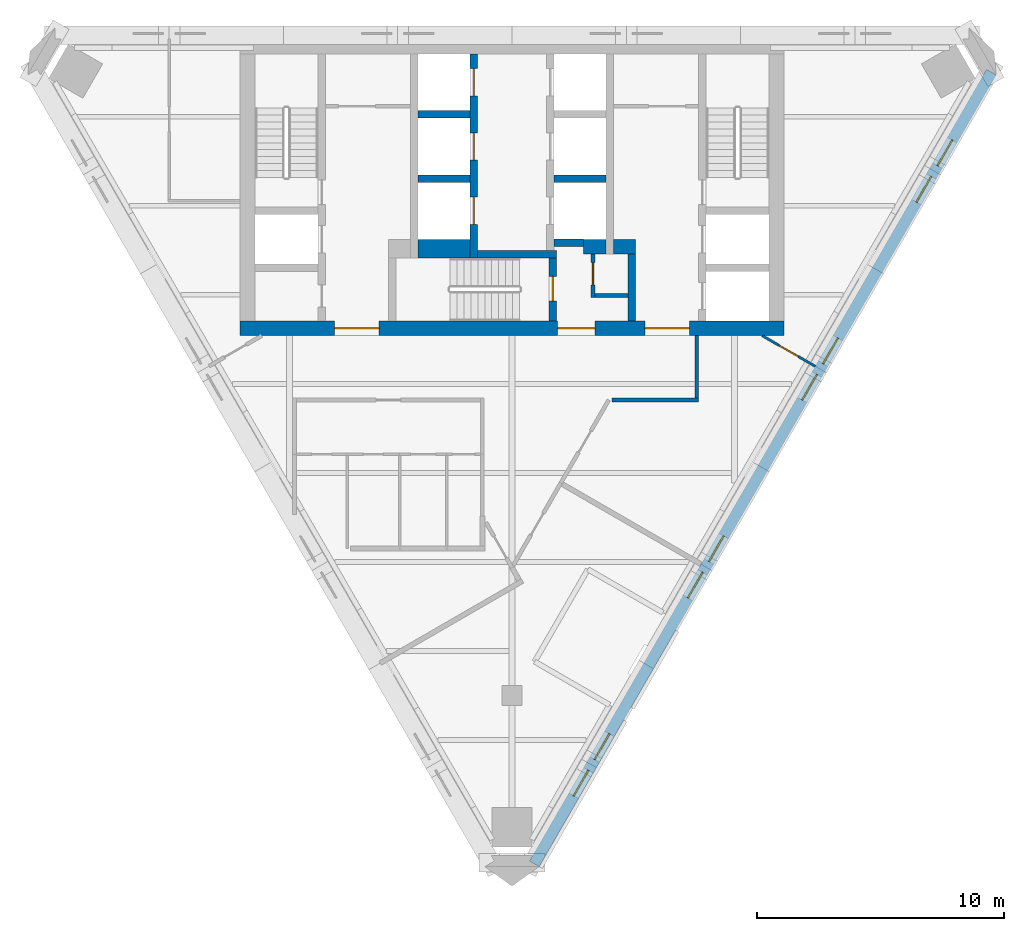
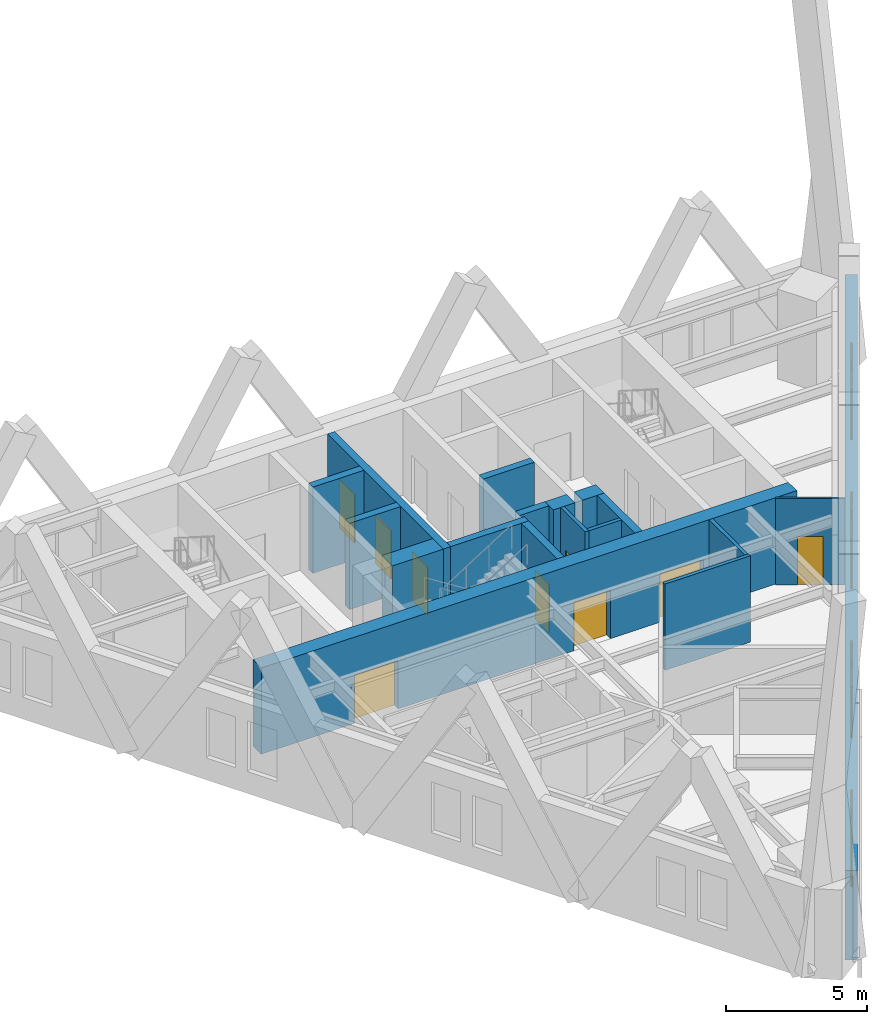
# One storey, part 4 of 7: 18 walls, 9 doors, 8 windows, 17 openings.
"""IFC4 building model written with IfcOpenShell, lengths in metres."""

import ifcopenshell
import ifcopenshell.guid

model = None  # the IFC model being written
_history = None  # IfcOwnerHistory: only IFC2X3 demands one
_inside = {}  # id of a spatial element -> (the spatial element, [elements in it])
_under = {}  # id of a project, library or spatial element -> (it, [spatial elements below it])
_declared = {}  # id of a project -> (the project, [libraries it declares])
_typed = {}  # id of a type object -> (the type object, [elements of that type])
_made_of = {}  # id of a material, layer set ... -> (it, [elements and type objects made of it])


def new_model(schema):
    """Start an empty IFC model of exactly this schema.

    Asked for "IFC4X3", IfcOpenShell would pick the latest addendum, in which some entities
    have other attributes; the version numbers below select the first issue.
    IFC2X3 requires an IfcOwnerHistory on every rooted entity: one is made here for all.
    """
    global model, _history
    if schema == "IFC4X3":
        model = ifcopenshell.file(schema_version=(4, 3, 0, 0))
    else:
        model = ifcopenshell.file(schema=schema)
    _inside.clear()
    _under.clear()
    _declared.clear()
    _typed.clear()
    _made_of.clear()
    _history = None
    if model.schema == "IFC2X3":
        org = make("IfcOrganization", Name="unknown")
        user = make(
            "IfcPersonAndOrganization",
            ThePerson=make("IfcPerson", FamilyName="unknown"),
            TheOrganization=org,
        )
        app = make(
            "IfcApplication",
            ApplicationDeveloper=org,
            Version="unknown",
            ApplicationFullName="unknown",
            ApplicationIdentifier="unknown",
        )
        _history = make(
            "IfcOwnerHistory",
            OwningUser=user,
            OwningApplication=app,
            ChangeAction="ADDED",
            CreationDate=0,
        )
    return model


def make(cls, **values):
    """One entity of the class cls with the attributes given. An attribute that is None is left unset."""
    return model.create_entity(
        cls, **{name: value for name, value in values.items() if value is not None}
    )


def rooted(cls, **values):
    """An entity with a GlobalId (a new one), such as an element, a storey or a relation."""
    return make(cls, GlobalId=ifcopenshell.guid.new(), OwnerHistory=_history, **values)


def si_unit(unit_type, name, prefix=None):
    """IfcSIUnit, for example si_unit("LENGTHUNIT", "METRE", prefix="MILLI")."""
    return make("IfcSIUnit", UnitType=unit_type, Prefix=prefix, Name=name)


def assignment(units):
    """IfcUnitAssignment: the units of a project."""
    return None if units is None else make("IfcUnitAssignment", Units=units)


def point(xyz):
    """IfcCartesianPoint."""
    return None if xyz is None else make("IfcCartesianPoint", Coordinates=xyz)


def direction(xyz):
    """IfcDirection."""
    return None if xyz is None else make("IfcDirection", DirectionRatios=xyz)


def frame(location, z_axis=None, x_axis=None):
    """IfcAxis2Placement3D, a coordinate frame: its origin and axes. An axis left out is left unset."""
    return make(
        "IfcAxis2Placement3D",
        Location=point(location),
        Axis=direction(z_axis),
        RefDirection=direction(x_axis),
    )


def frame_2d(location, x_axis=None):
    """IfcAxis2Placement2D, a coordinate frame in the plane: its origin and x axis."""
    return make(
        "IfcAxis2Placement2D", Location=point(location), RefDirection=direction(x_axis)
    )


def origin():
    """The frame at (0, 0, 0) with its axes left unset."""
    return frame((0.0, 0.0, 0.0))


def place(relative_to, where):
    """IfcLocalPlacement: puts the frame where relative to a parent placement (None: the world)."""
    return make(
        "IfcLocalPlacement", PlacementRelTo=relative_to, RelativePlacement=where
    )


def context(
    kind, dimensions, precision=None, world=None, true_north=None, identifier=None
):
    """IfcGeometricRepresentationContext, for example the 3D "Model" context."""
    return make(
        "IfcGeometricRepresentationContext",
        ContextIdentifier=identifier,
        ContextType=kind,
        CoordinateSpaceDimension=dimensions,
        Precision=precision,
        WorldCoordinateSystem=world,
        TrueNorth=true_north,
    )


def subcontext(parent, identifier, kind, view, scale=None):
    """IfcGeometricRepresentationSubContext, for example "Body" below "Model"."""
    return make(
        "IfcGeometricRepresentationSubContext",
        ContextIdentifier=identifier,
        ContextType=kind,
        ParentContext=parent,
        TargetScale=scale,
        TargetView=view,
    )


def project(units=None, contexts=None):
    """IfcProject with its units and contexts."""
    return rooted(
        "IfcProject",
        Name="project",
        RepresentationContexts=contexts,
        UnitsInContext=assignment(units),
    )


def spatial(cls, under=None, at=None, **own):
    """A site, building, storey or space (cls), placed at a placement, below another one or the project."""
    s = rooted(cls, ObjectPlacement=at, **own)
    if under is not None:
        _under.setdefault(under.id(), (under, []))[1].append(s)
    return s


def polyline(points):
    """IfcPolyline through the points."""
    return make("IfcPolyline", Points=[point(p) for p in points])


def profile(cls, at=None, kind="AREA", **sizes):
    """A parametric profile (cls). Its sizes go by their IFC names, for example OverallWidth=200.0."""
    return make(cls, ProfileType=kind, Position=at, **sizes)


def rectangle(**sizes):
    """IfcRectangleProfileDef."""
    return profile("IfcRectangleProfileDef", **sizes)


def outline(outer, holes=None, kind="AREA"):
    """IfcArbitraryClosedProfileDef: a profile drawn as a closed curve; with holes, ...WithVoids."""
    if holes is None:
        return make("IfcArbitraryClosedProfileDef", ProfileType=kind, OuterCurve=outer)
    return make(
        "IfcArbitraryProfileDefWithVoids",
        ProfileType=kind,
        OuterCurve=outer,
        InnerCurves=holes,
    )


def extrude(swept, where, along, depth):
    """IfcExtrudedAreaSolid: the profile swept, set in the frame where, extruded along a direction by depth."""
    return make(
        "IfcExtrudedAreaSolid",
        SweptArea=swept,
        Position=where,
        ExtrudedDirection=direction(along),
        Depth=depth,
    )


def shape(context_of_items, identifier, shape_type, items):
    """IfcShapeRepresentation: the items that make up one representation, for example the "Body"."""
    return make(
        "IfcShapeRepresentation",
        ContextOfItems=context_of_items,
        RepresentationIdentifier=identifier,
        RepresentationType=shape_type,
        Items=items,
    )


def material(Name=None, Category=None):
    """IfcMaterial."""
    return make("IfcMaterial", Name=Name, Category=Category)


def layer(
    of_material, thickness, ventilated=None, Name=None, Category=None, Priority=None
):
    """IfcMaterialLayer: one layer of a wall or slab, of a material (None: an air gap)."""
    return make(
        "IfcMaterialLayer",
        Material=of_material,
        LayerThickness=thickness,
        IsVentilated=ventilated,
        Name=Name,
        Category=Category,
        Priority=Priority,
    )


def layer_set(layers, Name=None):
    """IfcMaterialLayerSet."""
    return make("IfcMaterialLayerSet", MaterialLayers=layers, LayerSetName=Name)


def made_of(thing, what):
    """Note that an element or type object is made of a material, layer set ...; save() writes the relation."""
    if what is not None:
        _made_of.setdefault(what.id(), (what, []))[1].append(thing)
    return thing


def type_object(cls, material=None, **own):
    """A type object (cls), such as IfcWallType, which elements share."""
    return made_of(rooted(cls, **own), material)


def element(
    cls,
    number,
    at=None,
    inside=None,
    cuts=None,
    type_object=None,
    material=None,
    context=None,
    identifier="Body",
    shape_type=None,
    held_by="IfcProductDefinitionShape",
    body=None,
    shapes=None,
    **own,
):
    """One element of the class cls, such as IfcWall. Its Tag is "e" and its number.

    at: its placement. inside: the storey or other place that contains it. cuts: it is an
    opening in that element (IfcRelVoidsElement). A single representation is given by context,
    identifier, shape_type and body (its items); several are given by shapes. held_by: the class
    of the entity that holds the representations. save() writes the other relations.
    """
    e = rooted(cls, Tag="e%d" % number, ObjectPlacement=at, **own)
    if body is not None:
        shapes = [shape(context, identifier, shape_type, body)]
    if shapes is not None:
        e.Representation = make(held_by, Representations=shapes)
    if inside is not None:
        _inside.setdefault(inside.id(), (inside, []))[1].append(e)
    if cuts is not None:
        rooted(
            "IfcRelVoidsElement", RelatingBuildingElement=cuts, RelatedOpeningElement=e
        )
    if type_object is not None:
        _typed.setdefault(type_object.id(), (type_object, []))[1].append(e)
    return made_of(e, material)


def fill(opening, filler):
    """IfcRelFillsElement: the door or window that sits in an opening."""
    return rooted(
        "IfcRelFillsElement",
        RelatingOpeningElement=opening,
        RelatedBuildingElement=filler,
    )


def aggregate(whole, parts):
    """IfcRelAggregates: a whole, such as a stair, and the parts it consists of."""
    return rooted("IfcRelAggregates", RelatingObject=whole, RelatedObjects=parts)


def save(model, path):
    """Write the relations noted so far, then the file.

    IfcRelAggregates (storeys below a building ...), IfcRelContainedInSpatialStructure (elements
    in a storey), IfcRelDefinesByType, IfcRelAssociatesMaterial and IfcRelDeclares: one each for
    every whole, place, type object, material and project.
    """
    for whole, parts in _under.values():
        aggregate(whole, parts)
    for where, things in _inside.values():
        rooted(
            "IfcRelContainedInSpatialStructure",
            RelatedElements=things,
            RelatingStructure=where,
        )
    for kind, things in _typed.values():
        rooted("IfcRelDefinesByType", RelatedObjects=things, RelatingType=kind)
    for what, things in _made_of.values():
        rooted("IfcRelAssociatesMaterial", RelatedObjects=things, RelatingMaterial=what)
    for by, libraries in _declared.values():
        rooted("IfcRelDeclares", RelatingContext=by, RelatedDefinitions=libraries)
    model.write(path)


model = new_model("IFC4")

# Units and contexts
model_context = context("Model", 3, precision=1e-05, world=origin(), true_north=direction((0.0, 1.0)))
body_context = subcontext(model_context, "Body", "Model", "MODEL_VIEW")
ifc_project = project(units=[si_unit("LENGTHUNIT", "METRE"), si_unit("AREAUNIT", "SQUARE_METRE"), si_unit("VOLUMEUNIT", "CUBIC_METRE"), si_unit("PLANEANGLEUNIT", "RADIAN"), si_unit("MASSUNIT", "GRAM", prefix="KILO")], contexts=[model_context])

# Site, building, storey
site_placement = place(None, origin())
site = spatial("IfcSite", under=ifc_project, at=site_placement, CompositionType="ELEMENT")
building_placement = place(site_placement, origin())
building = spatial("IfcBuilding", under=site, at=building_placement, Name="Aloe Facet Convention Tower", CompositionType="ELEMENT")
storey_placement = place(building_placement, frame((0.0, 0.0, 269.89990234375)))
storey = spatial("IfcBuildingStorey", under=building, at=storey_placement, Name="L66", CompositionType="ELEMENT", Elevation=269.89990234375)

# Wall, opening, door
ifc_material_1 = material(Name="Concrete blockwork partition", Category="masonry")
ifc_layer_1 = layer(ifc_material_1, 0.14990234375)
ifc_layer_set_1 = layer_set([ifc_layer_1], Name="CR-W-PART150")
wall_type_1 = type_object("IfcWallType", Name="CR-W-PART150", PredefinedType="PARTITIONING", material=ifc_layer_set_1)
wall_1_placement = place(storey_placement, frame((83.27490234375, 125.85009765625, 0.0), z_axis=(0.0, 0.0, 1.0), x_axis=(0.0, -1.0, 0.0)))
wall_1 = element("IfcWall", 1, at=wall_1_placement, inside=storey, type_object=wall_type_1, Name="Core partition L66-022", PredefinedType="PARTITIONING", context=body_context, shape_type="SweptSolid", body=[
    extrude(rectangle(XDim=1.75, YDim=0.14990234375, at=frame_2d((0.875, 0.0))), origin(), (0.0, 0.0, 1.0), 3.75),
])
opening_1_placement = place(wall_1_placement, frame((0.35009765625, 0.0, 0.0)))
opening_1 = element("IfcOpeningElement", 2, at=opening_1_placement, cuts=wall_1, Name="Opening L66-CD12", PredefinedType="OPENING", context=body_context, shape_type="SweptSolid", body=[
    extrude(rectangle(XDim=0.89990234375, YDim=2.10009765625, at=frame_2d((0.449951171875, 1.050048828125))), frame((0.0, 0.0849609375, 0.0), z_axis=(0.0, -1.0, 0.0), x_axis=(1.0, 0.0, 0.0)), (0.0, 0.0, 1.0), 0.169921875),
])
ifc_material_2 = material(Name="Steel fire-resisting door set FD60", Category="steel")
door_type_1 = type_object("IfcDoorType", Name="CR-D-REFUGE-900-FD60-SRIGHT", OperationType="SINGLE_SWING_RIGHT", PredefinedType="DOOR", material=ifc_material_2)
door_1_placement = place(opening_1_placement, origin())
door_1 = element("IfcDoor", 3, at=door_1_placement, inside=storey, type_object=door_type_1, Name="Core door L66-CD12", OperationType="SINGLE_SWING_RIGHT", OverallHeight=2.10009765625, OverallWidth=0.89990234375, PredefinedType="DOOR", context=body_context, shape_type="SweptSolid", body=[
    extrude(rectangle(XDim=0.89990234375, YDim=2.10009765625, at=frame_2d((0.449951171875, 1.050048828125))), frame((0.0, 0.02490234375, 0.0), z_axis=(0.0, -1.0, 0.0), x_axis=(1.0, 0.0, 0.0)), (0.0, 0.0, 1.0), 0.050048828125),
])
fill(opening_1, door_1)

# Walls
wall_2_placement = place(storey_placement, frame((83.35009765625, 124.175048828125, 0.0), z_axis=(0.0, 0.0, 1.0), x_axis=(1.0, 0.0, 0.0)))
element("IfcWall", 4, at=wall_2_placement, inside=storey, type_object=wall_type_1, Name="Core partition L66-023", PredefinedType="PARTITIONING", context=body_context, shape_type="SweptSolid", body=[
    extrude(rectangle(XDim=1.349853515625, YDim=0.14990234375, at=frame_2d((0.6748046875, 0.0))), origin(), (0.0, 0.0, 1.0), 3.75),
])
ifc_material_3 = material(Name="Concrete C50/60", Category="concrete")
ifc_layer_2 = layer(ifc_material_3, 0.300048828125)
ifc_layer_set_2 = layer_set([ifc_layer_2], Name="CR-W-RC300-C5060")
wall_type_2 = type_object("IfcWallType", Name="CR-W-RC300-C5060", PredefinedType="SOLIDWALL", material=ifc_layer_set_2)
for number, where, z_axis, x_axis, name in (
    (5, (76.199951171875, 131.5, 0.0), (0.0, 0.0, 1.0), (1.0, 0.0, 0.0), "Core wall L66-011"),
    (6, (76.199951171875, 128.89990234375, 0.0), (0.0, 0.0, 1.0), (1.0, 0.0, 0.0), "Core wall L66-012"),
):
    element("IfcWall", number, at=place(storey_placement, frame(where, z_axis=z_axis, x_axis=x_axis)), inside=storey, type_object=wall_type_2, Name=name, PredefinedType="SOLIDWALL", context=body_context, shape_type="SweptSolid", body=[
        extrude(rectangle(XDim=2.10009765625, YDim=0.300048828125, at=frame_2d((1.050048828125, 0.0))), origin(), (0.0, 0.0, 1.0), 3.75),
    ])

# Wall, openings, doors
wall_3_placement = place(storey_placement, frame((78.449951171875, 133.949951171875, 0.0), z_axis=(0.0, 0.0, 1.0), x_axis=(0.0, -1.0, 0.0)))
wall_3 = element("IfcWall", 7, at=wall_3_placement, inside=storey, type_object=wall_type_2, Name="Core wall L66-014", PredefinedType="SOLIDWALL", context=body_context, shape_type="SweptSolid", body=[
    extrude(rectangle(XDim=8.25, YDim=0.300048828125, at=frame_2d((4.125, 0.0))), origin(), (0.0, 0.0, 1.0), 3.75),
])
opening_2_placement = place(wall_3_placement, frame((0.60009765625, 0.0, 0.0)))
opening_2 = element("IfcOpeningElement", 8, at=opening_2_placement, cuts=wall_3, Name="Opening LD-B1-L66", PredefinedType="OPENING", context=body_context, shape_type="SweptSolid", body=[
    extrude(rectangle(XDim=1.10009765625, YDim=2.10009765625, at=frame_2d((0.550048828125, 1.050048828125))), frame((0.0, 0.16015625, 0.0), z_axis=(0.0, -1.0, 0.0), x_axis=(1.0, 0.0, 0.0)), (0.0, 0.0, 1.0), 0.320068359375),
])
opening_3_placement = place(wall_3_placement, frame((3.199951171875, 0.0, 0.0)))
opening_3 = element("IfcOpeningElement", 9, at=opening_3_placement, cuts=wall_3, Name="Opening LD-B2-L66", PredefinedType="OPENING", context=body_context, shape_type="SweptSolid", body=[
    extrude(rectangle(XDim=1.10009765625, YDim=2.10009765625, at=frame_2d((0.550048828125, 1.050048828125))), frame((0.0, 0.16015625, 0.0), z_axis=(0.0, -1.0, 0.0), x_axis=(1.0, 0.0, 0.0)), (0.0, 0.0, 1.0), 0.320068359375),
])
opening_4_placement = place(wall_3_placement, frame((5.800048828125, 0.0, 0.0)))
opening_4 = element("IfcOpeningElement", 10, at=opening_4_placement, cuts=wall_3, Name="Opening LD-B3-L66", PredefinedType="OPENING", context=body_context, shape_type="SweptSolid", body=[
    extrude(rectangle(XDim=1.10009765625, YDim=2.10009765625, at=frame_2d((0.550048828125, 1.050048828125))), frame((0.0, 0.16015625, 0.0), z_axis=(0.0, -1.0, 0.0), x_axis=(1.0, 0.0, 0.0)), (0.0, 0.0, 1.0), 0.320068359375),
])
ifc_material_4 = material(Name="Stainless steel sliding landing door", Category="steel")
door_type_2 = type_object("IfcDoorType", Name="CR-LD-1100-FD60-RIGHT", OperationType="SLIDING_TO_RIGHT", PredefinedType="DOOR", material=ifc_material_4)
door_2_placement = place(opening_2_placement, origin())
door_2 = element("IfcDoor", 11, at=door_2_placement, inside=storey, type_object=door_type_2, Name="Landing door B1 L66", OperationType="SLIDING_TO_RIGHT", OverallHeight=2.10009765625, OverallWidth=1.10009765625, PredefinedType="DOOR", context=body_context, shape_type="SweptSolid", body=[
    extrude(rectangle(XDim=1.10009765625, YDim=2.10009765625, at=frame_2d((0.550048828125, 1.050048828125))), frame((0.0, 0.02490234375, 0.0), z_axis=(0.0, -1.0, 0.0), x_axis=(1.0, 0.0, 0.0)), (0.0, 0.0, 1.0), 0.050048828125),
])
fill(opening_2, door_2)
door_3_placement = place(opening_3_placement, origin())
door_3 = element("IfcDoor", 12, at=door_3_placement, inside=storey, type_object=door_type_2, Name="Landing door B2 L66", OperationType="SLIDING_TO_RIGHT", OverallHeight=2.10009765625, OverallWidth=1.10009765625, PredefinedType="DOOR", context=body_context, shape_type="SweptSolid", body=[
    extrude(rectangle(XDim=1.10009765625, YDim=2.10009765625, at=frame_2d((0.550048828125, 1.050048828125))), frame((0.0, 0.02490234375, 0.0), z_axis=(0.0, -1.0, 0.0), x_axis=(1.0, 0.0, 0.0)), (0.0, 0.0, 1.0), 0.050048828125),
])
fill(opening_3, door_3)
door_4_placement = place(opening_4_placement, origin())
door_4 = element("IfcDoor", 13, at=door_4_placement, inside=storey, type_object=door_type_2, Name="Landing door B3 L66", OperationType="SLIDING_TO_RIGHT", OverallHeight=2.10009765625, OverallWidth=1.10009765625, PredefinedType="DOOR", context=body_context, shape_type="SweptSolid", body=[
    extrude(rectangle(XDim=1.10009765625, YDim=2.10009765625, at=frame_2d((0.550048828125, 1.050048828125))), frame((0.0, 0.02490234375, 0.0), z_axis=(0.0, -1.0, 0.0), x_axis=(1.0, 0.0, 0.0)), (0.0, 0.0, 1.0), 0.050048828125),
])
fill(opening_4, door_4)

# Wall
wall_4_placement = place(storey_placement, frame((78.60009765625, 125.85009765625, 0.0), z_axis=(0.0, 0.0, 1.0), x_axis=(1.0, 0.0, 0.0)))
element("IfcWall", 14, at=wall_4_placement, inside=storey, type_object=wall_type_2, Name="Core wall L66-015", PredefinedType="SOLIDWALL", context=body_context, shape_type="SweptSolid", body=[
    extrude(rectangle(XDim=3.199951171875, YDim=0.300048828125, at=frame_2d((1.60009765625, 0.0))), origin(), (0.0, 0.0, 1.0), 3.75),
])

# Wall, opening, door
wall_5_placement = place(storey_placement, frame((81.64990234375, 125.699951171875, 0.0), z_axis=(0.0, 0.0, 1.0), x_axis=(0.0, -1.0, 0.0)))
wall_5 = element("IfcWall", 15, at=wall_5_placement, inside=storey, type_object=wall_type_2, Name="Core wall L66-017", PredefinedType="SOLIDWALL", context=body_context, shape_type="SweptSolid", body=[
    extrude(rectangle(XDim=2.550048828125, YDim=0.300048828125, at=frame_2d((1.27490234375, 0.0))), origin(), (0.0, 0.0, 1.0), 3.75),
])
opening_5_placement = place(wall_5_placement, frame((0.75, 0.0, 0.0)))
opening_5 = element("IfcOpeningElement", 16, at=opening_5_placement, cuts=wall_5, Name="Opening L66-CD18", PredefinedType="OPENING", context=body_context, shape_type="SweptSolid", body=[
    extrude(rectangle(XDim=1.0, YDim=2.10009765625, at=frame_2d((0.5, 1.050048828125))), frame((0.0, 0.16015625, 0.0), z_axis=(0.0, -1.0, 0.0), x_axis=(1.0, 0.0, 0.0)), (0.0, 0.0, 1.0), 0.320068359375),
])
ifc_material_5 = material(Name="Steel fire-resisting door set FD120", Category="steel")
door_type_3 = type_object("IfcDoorType", Name="CR-D-STAIR-1000-FD120-SLEFT", OperationType="SINGLE_SWING_LEFT", PredefinedType="DOOR", material=ifc_material_5)
door_5_placement = place(opening_5_placement, origin())
door_5 = element("IfcDoor", 17, at=door_5_placement, inside=storey, type_object=door_type_3, Name="Core door L66-CD18", OperationType="SINGLE_SWING_LEFT", OverallHeight=2.10009765625, OverallWidth=1.0, PredefinedType="DOOR", context=body_context, shape_type="SweptSolid", body=[
    extrude(rectangle(XDim=1.0, YDim=2.10009765625, at=frame_2d((0.5, 1.050048828125))), frame((0.0, 0.02490234375, 0.0), z_axis=(0.0, -1.0, 0.0), x_axis=(1.0, 0.0, 0.0)), (0.0, 0.0, 1.0), 0.050048828125),
])
fill(opening_5, door_5)

# Walls
wall_6_placement = place(storey_placement, frame((81.699951171875, 128.89990234375, 0.0), z_axis=(0.0, 0.0, 1.0), x_axis=(1.0, 0.0, 0.0)))
element("IfcWall", 18, at=wall_6_placement, inside=storey, type_object=wall_type_2, Name="Core wall L66-019", PredefinedType="SOLIDWALL", context=body_context, shape_type="SweptSolid", body=[
    extrude(rectangle(XDim=2.10009765625, YDim=0.300048828125, at=frame_2d((1.050048828125, 0.0))), origin(), (0.0, 0.0, 1.0), 3.75),
])
wall_7_placement = place(storey_placement, frame((81.699951171875, 126.300048828125, 0.0), z_axis=(0.0, 0.0, 1.0), x_axis=(1.0, 0.0, 0.0)))
element("IfcWall", 19, at=wall_7_placement, inside=storey, type_object=wall_type_2, Name="Core wall L66-020", PredefinedType="SOLIDWALL", context=body_context, shape_type="SweptSolid", body=[
    extrude(rectangle(XDim=1.199951171875, YDim=0.300048828125, at=frame_2d((0.60009765625, 0.0))), origin(), (0.0, 0.0, 1.0), 3.75),
])
wall_8_placement = place(storey_placement, frame((84.85009765625, 125.85009765625, 0.0), z_axis=(0.0, 0.0, 1.0), x_axis=(0.0, -1.0, 0.0)))
element("IfcWall", 20, at=wall_8_placement, inside=storey, type_object=wall_type_2, Name="Core wall L66-027", PredefinedType="SOLIDWALL", context=body_context, shape_type="SweptSolid", body=[
    extrude(rectangle(XDim=2.7001953125, YDim=0.300048828125, at=frame_2d((1.35009765625, 0.0))), origin(), (0.0, 0.0, 1.0), 3.75),
])

# Wall, openings, doors
ifc_material_6 = material(Name="Concrete C50/60", Category="concrete")
ifc_layer_3 = layer(ifc_material_6, 0.60009765625)
ifc_layer_set_3 = layer_set([ifc_layer_3], Name="CR-W-RC600-C5060")
wall_type_3 = type_object("IfcWallType", Name="CR-W-RC600-C5060", PredefinedType="SOLIDWALL", material=ifc_layer_set_3)
wall_9_placement = place(storey_placement, frame((69.0, 122.85009765625, 0.0), z_axis=(0.0, 0.0, 1.0), x_axis=(1.0, 0.0, 0.0)))
wall_9 = element("IfcWall", 21, at=wall_9_placement, inside=storey, type_object=wall_type_3, Name="Core wall L66-003", PredefinedType="SOLIDWALL", context=body_context, shape_type="SweptSolid", body=[
    extrude(rectangle(XDim=22.0, YDim=0.60009765625, at=frame_2d((11.0, 0.0))), origin(), (0.0, 0.0, 1.0), 3.75),
])
opening_6_placement = place(wall_9_placement, frame((16.375, 0.0, 0.0)))
opening_6 = element("IfcOpeningElement", 22, at=opening_6_placement, cuts=wall_9, Name="Opening L66-CD09", PredefinedType="OPENING", context=body_context, shape_type="SweptSolid", body=[
    extrude(rectangle(XDim=1.800048828125, YDim=2.10009765625, at=frame_2d((0.89990234375, 1.050048828125))), frame((0.0, 0.31005859375, 0.0), z_axis=(0.0, -1.0, 0.0), x_axis=(1.0, 0.0, 0.0)), (0.0, 0.0, 1.0), 0.6201171875),
])
opening_7_placement = place(wall_9_placement, frame((3.824951171875, 0.0, 0.0)))
opening_7 = element("IfcOpeningElement", 23, at=opening_7_placement, cuts=wall_9, Name="Opening L66-CD10", PredefinedType="OPENING", context=body_context, shape_type="SweptSolid", body=[
    extrude(rectangle(XDim=1.800048828125, YDim=2.10009765625, at=frame_2d((0.89990234375, 1.050048828125))), frame((0.0, 0.31005859375, 0.0), z_axis=(0.0, -1.0, 0.0), x_axis=(1.0, 0.0, 0.0)), (0.0, 0.0, 1.0), 0.6201171875),
])
opening_8_placement = place(wall_9_placement, frame((12.85009765625, 0.0, 0.0)))
opening_8 = element("IfcOpeningElement", 24, at=opening_8_placement, cuts=wall_9, Name="Opening L66-CD11", PredefinedType="OPENING", context=body_context, shape_type="SweptSolid", body=[
    extrude(rectangle(XDim=1.5, YDim=2.10009765625, at=frame_2d((0.75, 1.050048828125))), frame((0.0, 0.31005859375, 0.0), z_axis=(0.0, -1.0, 0.0), x_axis=(1.0, 0.0, 0.0)), (0.0, 0.0, 1.0), 0.6201171875),
])
ifc_material_7 = material(Name="Steel fire-resisting door set FD60", Category="steel")
door_type_4 = type_object("IfcDoorType", Name="CR-D-EXIT-1500-FD60-DD", OperationType="DOUBLE_DOOR_DOUBLE_SWING", PredefinedType="DOOR", material=ifc_material_7)
door_6_placement = place(opening_8_placement, origin())
door_6 = element("IfcDoor", 25, at=door_6_placement, inside=storey, type_object=door_type_4, Name="Core door L66-CD11", OperationType="DOUBLE_DOOR_DOUBLE_SWING", OverallHeight=2.10009765625, OverallWidth=1.5, PredefinedType="DOOR", context=body_context, shape_type="SweptSolid", body=[
    extrude(rectangle(XDim=1.5, YDim=2.10009765625, at=frame_2d((0.75, 1.050048828125))), frame((0.0, 0.02490234375, 0.0), z_axis=(0.0, -1.0, 0.0), x_axis=(1.0, 0.0, 0.0)), (0.0, 0.0, 1.0), 0.050048828125),
])
fill(opening_8, door_6)
ifc_material_8 = material(Name="Steel fire-resisting door set FD120", Category="steel")
door_type_5 = type_object("IfcDoorType", Name="CR-D-EXIT-1800-FD120-DD", OperationType="DOUBLE_DOOR_DOUBLE_SWING", PredefinedType="DOOR", material=ifc_material_8)
door_7_placement = place(opening_6_placement, origin())
door_7 = element("IfcDoor", 26, at=door_7_placement, inside=storey, type_object=door_type_5, Name="Core door L66-CD09", OperationType="DOUBLE_DOOR_DOUBLE_SWING", OverallHeight=2.10009765625, OverallWidth=1.800048828125, PredefinedType="DOOR", context=body_context, shape_type="SweptSolid", body=[
    extrude(rectangle(XDim=1.800048828125, YDim=2.10009765625, at=frame_2d((0.89990234375, 1.050048828125))), frame((0.0, 0.02490234375, 0.0), z_axis=(0.0, -1.0, 0.0), x_axis=(1.0, 0.0, 0.0)), (0.0, 0.0, 1.0), 0.050048828125),
])
fill(opening_6, door_7)
door_8_placement = place(opening_7_placement, origin())
door_8 = element("IfcDoor", 27, at=door_8_placement, inside=storey, type_object=door_type_5, Name="Core door L66-CD10", OperationType="DOUBLE_DOOR_DOUBLE_SWING", OverallHeight=2.10009765625, OverallWidth=1.800048828125, PredefinedType="DOOR", context=body_context, shape_type="SweptSolid", body=[
    extrude(rectangle(XDim=1.800048828125, YDim=2.10009765625, at=frame_2d((0.89990234375, 1.050048828125))), frame((0.0, 0.02490234375, 0.0), z_axis=(0.0, -1.0, 0.0), x_axis=(1.0, 0.0, 0.0)), (0.0, 0.0, 1.0), 0.050048828125),
])
fill(opening_7, door_8)

# Walls
wall_10_placement = place(storey_placement, frame((82.89990234375, 126.14990234375, 0.0), z_axis=(0.0, 0.0, 1.0), x_axis=(1.0, 0.0, 0.0)))
element("IfcWall", 28, at=wall_10_placement, inside=storey, type_object=wall_type_3, Name="Core wall L66-021", PredefinedType="SOLIDWALL", context=body_context, shape_type="SweptSolid", body=[
    extrude(rectangle(XDim=0.900146484375, YDim=0.60009765625, at=frame_2d((0.4501953125, 0.0))), origin(), (0.0, 0.0, 1.0), 3.75),
])
wall_11_placement = place(storey_placement, frame((84.10009765625, 126.14990234375, 0.0), z_axis=(0.0, 0.0, 1.0), x_axis=(1.0, 0.0, 0.0)))
element("IfcWall", 29, at=wall_11_placement, inside=storey, type_object=wall_type_3, Name="Core wall L66-026", PredefinedType="SOLIDWALL", context=body_context, shape_type="SweptSolid", body=[
    extrude(rectangle(XDim=0.89990234375, YDim=0.60009765625, at=frame_2d((0.449951171875, 0.0))), origin(), (0.0, 0.0, 1.0), 3.75),
])
ifc_material_9 = material(Name="Concrete C50/60", Category="concrete")
ifc_layer_4 = layer(ifc_material_9, 0.75)
ifc_layer_set_4 = layer_set([ifc_layer_4], Name="CR-W-RC750-C5060")
wall_type_4 = type_object("IfcWallType", Name="CR-W-RC750-C5060", PredefinedType="SOLIDWALL", material=ifc_layer_set_4)
wall_12_placement = place(storey_placement, frame((76.199951171875, 126.074951171875, 0.0), z_axis=(0.0, 0.0, 1.0), x_axis=(1.0, 0.0, 0.0)))
element("IfcWall", 30, at=wall_12_placement, inside=storey, type_object=wall_type_4, Name="Core wall L66-013", PredefinedType="SOLIDWALL", context=body_context, shape_type="SweptSolid", body=[
    extrude(rectangle(XDim=2.10009765625, YDim=0.75, at=frame_2d((1.050048828125, 0.0))), origin(), (0.0, 0.0, 1.0), 3.75),
])

# Wall, openings, windows
ifc_material_10 = material(Name="Precast concrete C40/50", Category="concrete")
ifc_layer_5 = layer(ifc_material_10, 0.449951171875)
ifc_layer_set_5 = layer_set([ifc_layer_5], Name="EV-WALL-STONE")
wall_type_5 = type_object("IfcWallType", Name="EV-WALL-STONE", PredefinedType="SOLIDWALL", material=ifc_layer_set_5)
wall_13_placement = place(storey_placement, frame((80.905029296875, 101.188232421875, -0.14990234375), z_axis=(0.0, 0.0, 1.0), x_axis=(0.500002536638, 0.866023939251, 0.0)))
wall_13 = element("IfcWall", 31, at=wall_13_placement, inside=storey, type_object=wall_type_5, Name="EW-L66-E01", PredefinedType="SOLIDWALL", context=body_context, shape_type="SweptSolid", body=[
    extrude(outline(polyline([(36.972412109375, 0.0), (36.972412109375, 3.89990234375), (0.0, 3.89990234375), (0.0, 0.0), (36.972412109375, 0.0)])), frame((0.0, 0.22509765625, 0.0), z_axis=(0.0, -1.0, 0.0), x_axis=(1.0, 0.0, 0.0)), (0.0, 0.0, 1.0), 0.449951171875),
])
opening_9_placement = place(wall_13_placement, frame((3.171630859375, 0.0, 0.949951171875)))
opening_9 = element("IfcOpeningElement", 32, at=opening_9_placement, cuts=wall_13, Name="Opening W-L66-E01", PredefinedType="OPENING", context=body_context, shape_type="SweptSolid", body=[
    extrude(rectangle(XDim=1.199951171875, YDim=2.199951171875, at=frame_2d((0.60009765625, 1.10009765625))), frame((0.0, 0.23486328125, 0.0), z_axis=(0.0, -1.0, 0.0), x_axis=(1.0, 0.0, 0.0)), (0.0, 0.0, 1.0), 0.469970703125),
])
opening_10_placement = place(wall_13_placement, frame((4.87158203125, 0.0, 0.949951171875)))
opening_10 = element("IfcOpeningElement", 33, at=opening_10_placement, cuts=wall_13, Name="Opening W-L66-E02", PredefinedType="OPENING", context=body_context, shape_type="SweptSolid", body=[
    extrude(rectangle(XDim=1.199951171875, YDim=2.199951171875, at=frame_2d((0.60009765625, 1.10009765625))), frame((0.0, 0.23486328125, 0.0), z_axis=(0.0, -1.0, 0.0), x_axis=(1.0, 0.0, 0.0)), (0.0, 0.0, 1.0), 0.469970703125),
])
opening_11_placement = place(wall_13_placement, frame((12.41455078125, 0.0, 0.949951171875)))
opening_11 = element("IfcOpeningElement", 34, at=opening_11_placement, cuts=wall_13, Name="Opening W-L66-E03", PredefinedType="OPENING", context=body_context, shape_type="SweptSolid", body=[
    extrude(rectangle(XDim=1.199951171875, YDim=2.199951171875, at=frame_2d((0.60009765625, 1.10009765625))), frame((0.0, 0.23486328125, 0.0), z_axis=(0.0, -1.0, 0.0), x_axis=(1.0, 0.0, 0.0)), (0.0, 0.0, 1.0), 0.469970703125),
])
opening_12_placement = place(wall_13_placement, frame((14.114501953125, 0.0, 0.949951171875)))
opening_12 = element("IfcOpeningElement", 35, at=opening_12_placement, cuts=wall_13, Name="Opening W-L66-E04", PredefinedType="OPENING", context=body_context, shape_type="SweptSolid", body=[
    extrude(rectangle(XDim=1.199951171875, YDim=2.199951171875, at=frame_2d((0.60009765625, 1.10009765625))), frame((0.0, 0.23486328125, 0.0), z_axis=(0.0, -1.0, 0.0), x_axis=(1.0, 0.0, 0.0)), (0.0, 0.0, 1.0), 0.469970703125),
])
opening_13_placement = place(wall_13_placement, frame((21.65771484375, 0.0, 0.949951171875)))
opening_13 = element("IfcOpeningElement", 36, at=opening_13_placement, cuts=wall_13, Name="Opening W-L66-E05", PredefinedType="OPENING", context=body_context, shape_type="SweptSolid", body=[
    extrude(rectangle(XDim=1.199951171875, YDim=2.199951171875, at=frame_2d((0.60009765625, 1.10009765625))), frame((0.0, 0.23486328125, 0.0), z_axis=(0.0, -1.0, 0.0), x_axis=(1.0, 0.0, 0.0)), (0.0, 0.0, 1.0), 0.469970703125),
])
opening_14_placement = place(wall_13_placement, frame((23.357666015625, 0.0, 0.949951171875)))
opening_14 = element("IfcOpeningElement", 37, at=opening_14_placement, cuts=wall_13, Name="Opening W-L66-E06", PredefinedType="OPENING", context=body_context, shape_type="SweptSolid", body=[
    extrude(rectangle(XDim=1.199951171875, YDim=2.199951171875, at=frame_2d((0.60009765625, 1.10009765625))), frame((0.0, 0.23486328125, 0.0), z_axis=(0.0, -1.0, 0.0), x_axis=(1.0, 0.0, 0.0)), (0.0, 0.0, 1.0), 0.469970703125),
])
opening_15_placement = place(wall_13_placement, frame((30.90087890625, 0.0, 0.949951171875)))
opening_15 = element("IfcOpeningElement", 38, at=opening_15_placement, cuts=wall_13, Name="Opening W-L66-E07", PredefinedType="OPENING", context=body_context, shape_type="SweptSolid", body=[
    extrude(rectangle(XDim=1.199951171875, YDim=2.199951171875, at=frame_2d((0.60009765625, 1.10009765625))), frame((0.0, 0.23486328125, 0.0), z_axis=(0.0, -1.0, 0.0), x_axis=(1.0, 0.0, 0.0)), (0.0, 0.0, 1.0), 0.469970703125),
])
opening_16_placement = place(wall_13_placement, frame((32.600830078125, 0.0, 0.949951171875)))
opening_16 = element("IfcOpeningElement", 39, at=opening_16_placement, cuts=wall_13, Name="Opening W-L66-E08", PredefinedType="OPENING", context=body_context, shape_type="SweptSolid", body=[
    extrude(rectangle(XDim=1.199951171875, YDim=2.199951171875, at=frame_2d((0.60009765625, 1.10009765625))), frame((0.0, 0.23486328125, 0.0), z_axis=(0.0, -1.0, 0.0), x_axis=(1.0, 0.0, 0.0)), (0.0, 0.0, 1.0), 0.469970703125),
])
ifc_material_11 = material(Name="Aluminium frame, clear double glazing", Category="aluminium")
window_type = type_object("IfcWindowType", Name="EV-WIN-O12", PartitioningType="SINGLE_PANEL", PredefinedType="WINDOW", material=ifc_material_11)
window_1_placement = place(opening_9_placement, origin())
window_1 = element("IfcWindow", 40, at=window_1_placement, inside=storey, type_object=window_type, Name="W-L66-E01", OverallHeight=2.199951171875, OverallWidth=1.199951171875, PartitioningType="SINGLE_PANEL", PredefinedType="WINDOW", context=body_context, shape_type="SweptSolid", body=[
    extrude(rectangle(XDim=1.199951171875, YDim=2.199951171875, at=frame_2d((0.60009765625, 1.10009765625))), frame((0.0, 0.030029296875, 0.0), z_axis=(0.0, -1.0, 0.0), x_axis=(1.0, 0.0, 0.0)), (0.0, 0.0, 1.0), 0.06005859375),
])
fill(opening_9, window_1)
window_2_placement = place(opening_10_placement, origin())
window_2 = element("IfcWindow", 41, at=window_2_placement, inside=storey, type_object=window_type, Name="W-L66-E02", OverallHeight=2.199951171875, OverallWidth=1.199951171875, PartitioningType="SINGLE_PANEL", PredefinedType="WINDOW", context=body_context, shape_type="SweptSolid", body=[
    extrude(rectangle(XDim=1.199951171875, YDim=2.199951171875, at=frame_2d((0.60009765625, 1.10009765625))), frame((0.0, 0.030029296875, 0.0), z_axis=(0.0, -1.0, 0.0), x_axis=(1.0, 0.0, 0.0)), (0.0, 0.0, 1.0), 0.06005859375),
])
fill(opening_10, window_2)
window_3_placement = place(opening_11_placement, origin())
window_3 = element("IfcWindow", 42, at=window_3_placement, inside=storey, type_object=window_type, Name="W-L66-E03", OverallHeight=2.199951171875, OverallWidth=1.199951171875, PartitioningType="SINGLE_PANEL", PredefinedType="WINDOW", context=body_context, shape_type="SweptSolid", body=[
    extrude(rectangle(XDim=1.199951171875, YDim=2.199951171875, at=frame_2d((0.60009765625, 1.10009765625))), frame((0.0, 0.030029296875, 0.0), z_axis=(0.0, -1.0, 0.0), x_axis=(1.0, 0.0, 0.0)), (0.0, 0.0, 1.0), 0.06005859375),
])
fill(opening_11, window_3)
window_4_placement = place(opening_12_placement, origin())
window_4 = element("IfcWindow", 43, at=window_4_placement, inside=storey, type_object=window_type, Name="W-L66-E04", OverallHeight=2.199951171875, OverallWidth=1.199951171875, PartitioningType="SINGLE_PANEL", PredefinedType="WINDOW", context=body_context, shape_type="SweptSolid", body=[
    extrude(rectangle(XDim=1.199951171875, YDim=2.199951171875, at=frame_2d((0.60009765625, 1.10009765625))), frame((0.0, 0.030029296875, 0.0), z_axis=(0.0, -1.0, 0.0), x_axis=(1.0, 0.0, 0.0)), (0.0, 0.0, 1.0), 0.06005859375),
])
fill(opening_12, window_4)
window_5_placement = place(opening_13_placement, origin())
window_5 = element("IfcWindow", 44, at=window_5_placement, inside=storey, type_object=window_type, Name="W-L66-E05", OverallHeight=2.199951171875, OverallWidth=1.199951171875, PartitioningType="SINGLE_PANEL", PredefinedType="WINDOW", context=body_context, shape_type="SweptSolid", body=[
    extrude(rectangle(XDim=1.199951171875, YDim=2.199951171875, at=frame_2d((0.60009765625, 1.10009765625))), frame((0.0, 0.030029296875, 0.0), z_axis=(0.0, -1.0, 0.0), x_axis=(1.0, 0.0, 0.0)), (0.0, 0.0, 1.0), 0.06005859375),
])
fill(opening_13, window_5)
window_6_placement = place(opening_14_placement, origin())
window_6 = element("IfcWindow", 45, at=window_6_placement, inside=storey, type_object=window_type, Name="W-L66-E06", OverallHeight=2.199951171875, OverallWidth=1.199951171875, PartitioningType="SINGLE_PANEL", PredefinedType="WINDOW", context=body_context, shape_type="SweptSolid", body=[
    extrude(rectangle(XDim=1.199951171875, YDim=2.199951171875, at=frame_2d((0.60009765625, 1.10009765625))), frame((0.0, 0.030029296875, 0.0), z_axis=(0.0, -1.0, 0.0), x_axis=(1.0, 0.0, 0.0)), (0.0, 0.0, 1.0), 0.06005859375),
])
fill(opening_14, window_6)
window_7_placement = place(opening_15_placement, origin())
window_7 = element("IfcWindow", 46, at=window_7_placement, inside=storey, type_object=window_type, Name="W-L66-E07", OverallHeight=2.199951171875, OverallWidth=1.199951171875, PartitioningType="SINGLE_PANEL", PredefinedType="WINDOW", context=body_context, shape_type="SweptSolid", body=[
    extrude(rectangle(XDim=1.199951171875, YDim=2.199951171875, at=frame_2d((0.60009765625, 1.10009765625))), frame((0.0, 0.030029296875, 0.0), z_axis=(0.0, -1.0, 0.0), x_axis=(1.0, 0.0, 0.0)), (0.0, 0.0, 1.0), 0.06005859375),
])
fill(opening_15, window_7)
window_8_placement = place(opening_16_placement, origin())
window_8 = element("IfcWindow", 47, at=window_8_placement, inside=storey, type_object=window_type, Name="W-L66-E08", OverallHeight=2.199951171875, OverallWidth=1.199951171875, PartitioningType="SINGLE_PANEL", PredefinedType="WINDOW", context=body_context, shape_type="SweptSolid", body=[
    extrude(rectangle(XDim=1.199951171875, YDim=2.199951171875, at=frame_2d((0.60009765625, 1.10009765625))), frame((0.0, 0.030029296875, 0.0), z_axis=(0.0, -1.0, 0.0), x_axis=(1.0, 0.0, 0.0)), (0.0, 0.0, 1.0), 0.06005859375),
])
fill(opening_16, window_8)

# Walls
ifc_material_12 = material(Name="Gypsum board partition on steel studs", Category="steel")
ifc_layer_6 = layer(ifc_material_12, 0.14990234375)
ifc_layer_set_6 = layer_set([ifc_layer_6], Name="IN-W-CORR")
wall_type_6 = type_object("IfcWallType", Name="IN-W-CORR", PredefinedType="PARTITIONING", material=ifc_layer_set_6)
wall_14_placement = place(storey_placement, frame((84.04345703125, 119.948974609375, 0.0), z_axis=(0.0, 0.0, 1.0), x_axis=(0.999999961215, 0.000278512731, 0.0)))
element("IfcWall", 48, at=wall_14_placement, inside=storey, type_object=wall_type_6, Name="Partition L66-W023", PredefinedType="PARTITIONING", context=body_context, shape_type="SweptSolid", body=[
    extrude(rectangle(XDim=3.50634765625, YDim=0.14990234375, at=frame_2d((1.753173828125, 0.0))), origin(), (0.0, 0.0, 1.0), 3.75),
])
wall_15_placement = place(storey_placement, frame((87.474853515625, 120.02490234375, 0.0), z_axis=(0.0, 0.0, 1.0), x_axis=(9.6693096e-05, 0.999999995325, 0.0)))
element("IfcWall", 49, at=wall_15_placement, inside=storey, type_object=wall_type_6, Name="Partition L66-W025", PredefinedType="PARTITIONING", context=body_context, shape_type="SweptSolid", body=[
    extrude(rectangle(XDim=2.52490234375, YDim=0.14990234375, at=frame_2d((1.262451171875, 0.0))), origin(), (0.0, 0.0, 1.0), 3.75),
])

# Wall, opening, door
ifc_material_13 = material(Name="Gypsum board partition on steel studs", Category="steel")
ifc_layer_7 = layer(ifc_material_13, 0.10009765625)
ifc_layer_set_7 = layer_set([ifc_layer_7], Name="IN-W-PART")
wall_type_7 = type_object("IfcWallType", Name="IN-W-PART", PredefinedType="PARTITIONING", material=ifc_layer_set_7)
wall_16_placement = place(storey_placement, frame((90.120849609375, 122.550048828125, 0.0), z_axis=(0.0, 0.0, 1.0), x_axis=(0.86604923931, -0.499958713387, 0.0)))
wall_16 = element("IfcWall", 50, at=wall_16_placement, inside=storey, type_object=wall_type_7, Name="Partition L66-W026", PredefinedType="PARTITIONING", context=body_context, shape_type="SweptSolid", body=[
    extrude(rectangle(XDim=2.474853515625, YDim=0.10009765625, at=frame_2d((1.2373046875, 0.0))), origin(), (0.0, 0.0, 1.0), 3.75),
])
opening_17_placement = place(wall_16_placement, frame((0.787353515625, 0.0, 0.0)))
opening_17 = element("IfcOpeningElement", 51, at=opening_17_placement, cuts=wall_16, Name="Opening L66-006", PredefinedType="OPENING", context=body_context, shape_type="SweptSolid", body=[
    extrude(rectangle(XDim=0.89990234375, YDim=2.10009765625, at=frame_2d((0.449951171875, 1.050048828125))), frame((0.0, 0.06005859375, 0.0), z_axis=(0.0, -1.0, 0.0), x_axis=(1.0, 0.0, 0.0)), (0.0, 0.0, 1.0), 0.1201171875),
])
ifc_material_14 = material(Name="Timber door", Category="wood")
door_type_6 = type_object("IfcDoorType", Name="IN-OFF-D-ROOM", OperationType="SINGLE_SWING_LEFT", PredefinedType="DOOR", material=ifc_material_14)
door_9_placement = place(opening_17_placement, origin())
door_9 = element("IfcDoor", 52, at=door_9_placement, inside=storey, type_object=door_type_6, Name="Door L66-006", OperationType="SINGLE_SWING_LEFT", OverallHeight=2.10009765625, OverallWidth=0.89990234375, PredefinedType="DOOR", context=body_context, shape_type="SweptSolid", body=[
    extrude(rectangle(XDim=0.89990234375, YDim=2.10009765625, at=frame_2d((0.449951171875, 1.050048828125))), frame((0.0, 0.02490234375, 0.0), z_axis=(0.0, -1.0, 0.0), x_axis=(1.0, 0.0, 0.0)), (0.0, 0.0, 1.0), 0.050048828125),
])
fill(opening_17, door_9)

save(model, "model.ifc")
